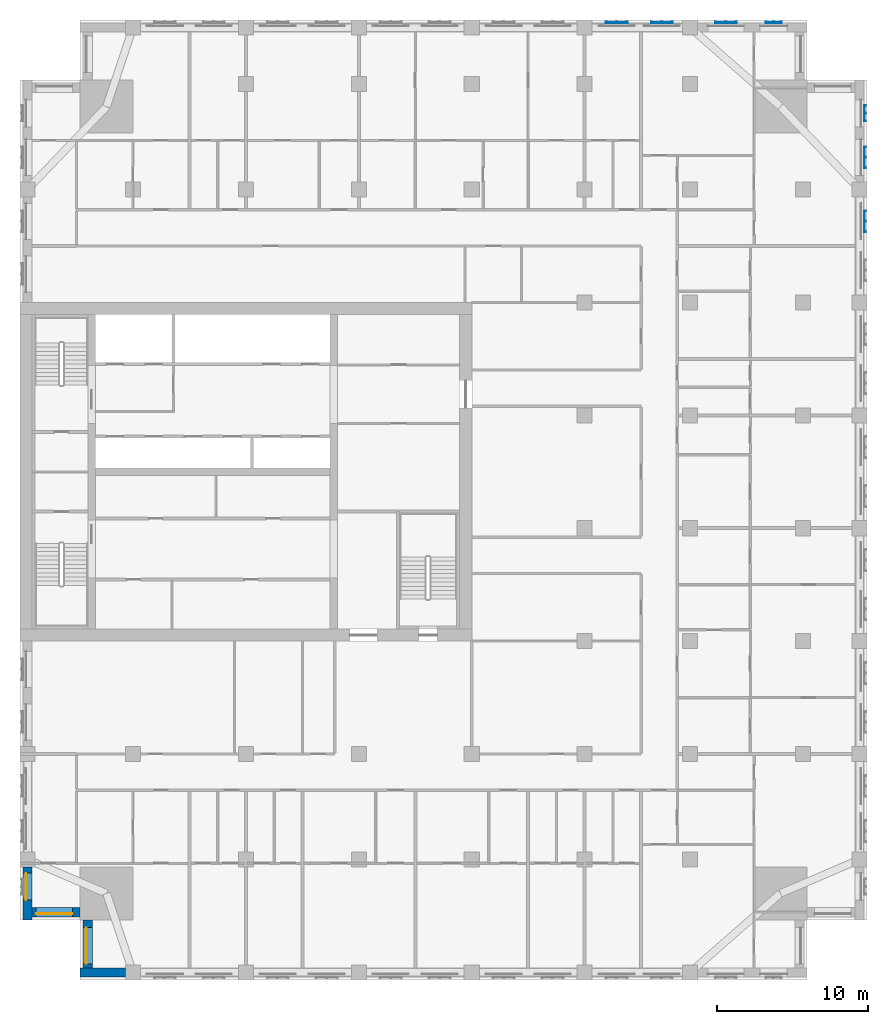
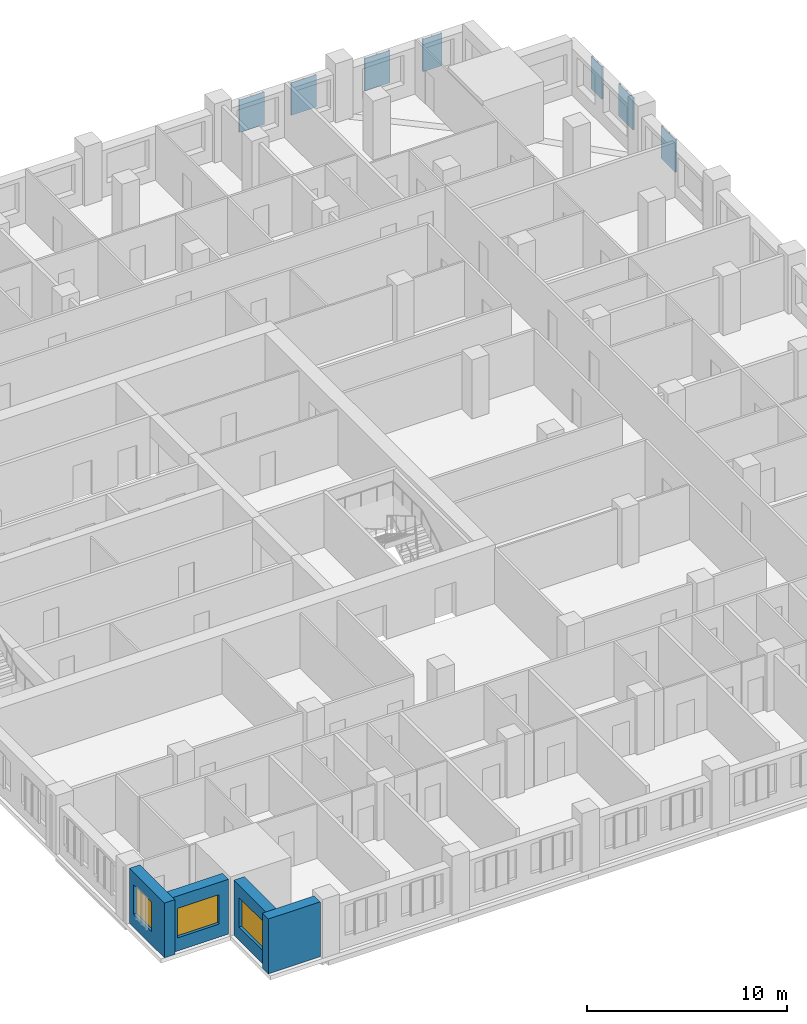
# One storey, part 3 of 14: 7 plates, 4 walls, 3 windows, 3 openings.
"""IFC4 building model written with IfcOpenShell, lengths in metres."""

from ifc_helpers import new_model, si_unit, direction, frame, frame_2d, origin, place, context, subcontext, project, spatial, polyline, rectangle, outline, extrude, material, layer, layer_set, type_object, element, fill, save


model = new_model("IFC4")

# Units and contexts
model_context = context("Model", 3, precision=1e-05, world=origin(), true_north=direction((0.0, 1.0)))
body_context = subcontext(model_context, "Body", "Model", "MODEL_VIEW")
ifc_project = project(units=[si_unit("LENGTHUNIT", "METRE"), si_unit("AREAUNIT", "SQUARE_METRE"), si_unit("VOLUMEUNIT", "CUBIC_METRE"), si_unit("PLANEANGLEUNIT", "RADIAN"), si_unit("MASSUNIT", "GRAM", prefix="KILO")], contexts=[model_context])

# Site, building, storey
site_placement = place(None, origin())
site = spatial("IfcSite", under=ifc_project, at=site_placement, CompositionType="ELEMENT")
building_placement = place(site_placement, origin())
building = spatial("IfcBuilding", under=site, at=building_placement, Name="Tamorin Gate", CompositionType="ELEMENT")
storey_placement = place(building_placement, frame((0.0, 0.0, 141.0)))
storey = spatial("IfcBuildingStorey", under=building, at=storey_placement, Name="L34", CompositionType="ELEMENT", Elevation=141.0)

# Plates
ifc_material_1 = material(Name="Perforated pale aluminium sheet", Category="aluminium")
ifc_layer_1 = layer(ifc_material_1, 0.0400390625)
ifc_layer_set_1 = layer_set([ifc_layer_1], Name="Pale metal solar screen 1080")
plate_type_1 = type_object("IfcPlateType", Name="Pale metal solar screen 1080", PredefinedType="SHEET", material=ifc_layer_set_1)
plate_1_placement = place(storey_placement, frame((0.0, 0.0, 0.7099609375)))
element("IfcPlate", 1, at=plate_1_placement, inside=storey, type_object=plate_type_1, Name="Perforated solar screen", PredefinedType="SHEET", context=body_context, shape_type="SweptSolid", body=[
    extrude(outline(polyline([(86.090087890625, 94.510009765625), (86.050048828125, 94.510009765625), (86.050048828125, 94.570068359375), (86.050048828125, 95.02001953125), (86.050048828125, 95.080078125), (86.050048828125, 95.530029296875), (86.050048828125, 95.590087890625), (86.090087890625, 95.590087890625), (86.14990234375, 95.590087890625), (86.14990234375, 95.530029296875), (86.090087890625, 95.530029296875), (86.090087890625, 95.080078125), (86.14990234375, 95.080078125), (86.14990234375, 95.02001953125), (86.090087890625, 95.02001953125), (86.090087890625, 94.570068359375), (86.14990234375, 94.570068359375), (86.14990234375, 94.510009765625), (86.090087890625, 94.510009765625)])), origin(), (0.0, 0.0, 1.0), 1.97998046875),
])
plate_2_placement = place(storey_placement, frame((0.0, 0.0, 0.7099609375)))
element("IfcPlate", 2, at=plate_2_placement, inside=storey, type_object=plate_type_1, Name="Perforated solar screen", PredefinedType="SHEET", context=body_context, shape_type="SweptSolid", body=[
    extrude(outline(polyline([(80.590087890625, 101.090087890625), (80.590087890625, 101.050048828125), (80.530029296875, 101.050048828125), (80.080078125, 101.050048828125), (80.02001953125, 101.050048828125), (79.570068359375, 101.050048828125), (79.510009765625, 101.050048828125), (79.510009765625, 101.090087890625), (79.510009765625, 101.14990234375), (79.570068359375, 101.14990234375), (79.570068359375, 101.090087890625), (80.02001953125, 101.090087890625), (80.02001953125, 101.14990234375), (80.080078125, 101.14990234375), (80.080078125, 101.090087890625), (80.530029296875, 101.090087890625), (80.530029296875, 101.14990234375), (80.590087890625, 101.14990234375), (80.590087890625, 101.090087890625)])), origin(), (0.0, 0.0, 1.0), 1.97998046875),
])
ifc_layer_2 = layer(ifc_material_1, 0.0400390625)
ifc_layer_set_2 = layer_set([ifc_layer_2], Name="Pale metal solar screen 1440")
plate_type_2 = type_object("IfcPlateType", Name="Pale metal solar screen 1440", PredefinedType="SHEET", material=ifc_layer_set_2)
plate_3_placement = place(storey_placement, frame((0.0, 0.0, 0.7099609375)))
element("IfcPlate", 3, at=plate_3_placement, inside=storey, type_object=plate_type_2, Name="Perforated solar screen", PredefinedType="SHEET", context=body_context, shape_type="SweptSolid", body=[
    extrude(outline(polyline([(86.090087890625, 87.155029296875), (86.050048828125, 87.155029296875), (86.050048828125, 87.215087890625), (86.050048828125, 87.844970703125), (86.050048828125, 87.905029296875), (86.050048828125, 88.534912109375), (86.050048828125, 88.594970703125), (86.090087890625, 88.594970703125), (86.14990234375, 88.594970703125), (86.14990234375, 88.534912109375), (86.090087890625, 88.534912109375), (86.090087890625, 87.905029296875), (86.14990234375, 87.905029296875), (86.14990234375, 87.844970703125), (86.090087890625, 87.844970703125), (86.090087890625, 87.215087890625), (86.14990234375, 87.215087890625), (86.14990234375, 87.155029296875), (86.090087890625, 87.155029296875)])), origin(), (0.0, 0.0, 1.0), 1.97998046875),
])
plate_4_placement = place(storey_placement, frame((0.0, 0.0, 0.7099609375)))
element("IfcPlate", 4, at=plate_4_placement, inside=storey, type_object=plate_type_2, Name="Perforated solar screen", PredefinedType="SHEET", context=body_context, shape_type="SweptSolid", body=[
    extrude(outline(polyline([(86.090087890625, 91.405029296875), (86.050048828125, 91.405029296875), (86.050048828125, 91.465087890625), (86.050048828125, 92.094970703125), (86.050048828125, 92.155029296875), (86.050048828125, 92.784912109375), (86.050048828125, 92.844970703125), (86.090087890625, 92.844970703125), (86.14990234375, 92.844970703125), (86.14990234375, 92.784912109375), (86.090087890625, 92.784912109375), (86.090087890625, 92.155029296875), (86.14990234375, 92.155029296875), (86.14990234375, 92.094970703125), (86.090087890625, 92.094970703125), (86.090087890625, 91.465087890625), (86.14990234375, 91.465087890625), (86.14990234375, 91.405029296875), (86.090087890625, 91.405029296875)])), origin(), (0.0, 0.0, 1.0), 1.97998046875),
])
plate_5_placement = place(storey_placement, frame((0.0, 0.0, 0.7099609375)))
element("IfcPlate", 5, at=plate_5_placement, inside=storey, type_object=plate_type_2, Name="Perforated solar screen", PredefinedType="SHEET", context=body_context, shape_type="SweptSolid", body=[
    extrude(outline(polyline([(77.594970703125, 101.090087890625), (77.594970703125, 101.050048828125), (77.534912109375, 101.050048828125), (76.905029296875, 101.050048828125), (76.844970703125, 101.050048828125), (76.215087890625, 101.050048828125), (76.155029296875, 101.050048828125), (76.155029296875, 101.050048828125), (76.155029296875, 101.090087890625), (76.155029296875, 101.090087890625), (76.155029296875, 101.14990234375), (76.215087890625, 101.14990234375), (76.215087890625, 101.090087890625), (76.844970703125, 101.090087890625), (76.844970703125, 101.14990234375), (76.905029296875, 101.14990234375), (76.905029296875, 101.090087890625), (77.534912109375, 101.090087890625), (77.534912109375, 101.14990234375), (77.594970703125, 101.14990234375), (77.594970703125, 101.090087890625)])), origin(), (0.0, 0.0, 1.0), 1.97998046875),
])
plate_6_placement = place(storey_placement, frame((0.0, 0.0, 0.7099609375)))
element("IfcPlate", 6, at=plate_6_placement, inside=storey, type_object=plate_type_2, Name="Perforated solar screen", PredefinedType="SHEET", context=body_context, shape_type="SweptSolid", body=[
    extrude(outline(polyline([(70.344970703125, 101.090087890625), (70.344970703125, 101.050048828125), (70.284912109375, 101.050048828125), (69.655029296875, 101.050048828125), (69.594970703125, 101.050048828125), (68.965087890625, 101.050048828125), (68.905029296875, 101.050048828125), (68.905029296875, 101.090087890625), (68.905029296875, 101.14990234375), (68.965087890625, 101.14990234375), (68.965087890625, 101.090087890625), (69.594970703125, 101.090087890625), (69.594970703125, 101.14990234375), (69.655029296875, 101.14990234375), (69.655029296875, 101.090087890625), (70.284912109375, 101.090087890625), (70.284912109375, 101.14990234375), (70.344970703125, 101.14990234375), (70.344970703125, 101.090087890625)])), origin(), (0.0, 0.0, 1.0), 1.97998046875),
])
plate_7_placement = place(storey_placement, frame((0.0, 0.0, 0.7099609375)))
element("IfcPlate", 7, at=plate_7_placement, inside=storey, type_object=plate_type_2, Name="Perforated solar screen", PredefinedType="SHEET", context=body_context, shape_type="SweptSolid", body=[
    extrude(outline(polyline([(73.344970703125, 101.090087890625), (73.344970703125, 101.050048828125), (73.284912109375, 101.050048828125), (72.655029296875, 101.050048828125), (72.594970703125, 101.050048828125), (71.965087890625, 101.050048828125), (71.905029296875, 101.050048828125), (71.905029296875, 101.090087890625), (71.905029296875, 101.14990234375), (71.965087890625, 101.14990234375), (71.965087890625, 101.090087890625), (72.594970703125, 101.090087890625), (72.594970703125, 101.14990234375), (72.655029296875, 101.14990234375), (72.655029296875, 101.090087890625), (73.284912109375, 101.090087890625), (73.284912109375, 101.14990234375), (73.344970703125, 101.14990234375), (73.344970703125, 101.090087890625)])), origin(), (0.0, 0.0, 1.0), 1.97998046875),
])

# Wall
ifc_material_2 = material(Name="Precast concrete C40/50", Category="concrete")
ifc_layer_3 = layer(ifc_material_2, 0.60009765625)
ifc_layer_set_3 = layer_set([ifc_layer_3], Name="Precast concrete C40/50")
wall_type = type_object("IfcWallType", Name="Board-marked concrete facade panel 600", PredefinedType="SOLIDWALL", material=ifc_layer_set_3)
wall_1_placement = place(storey_placement, frame((34.0, 38.0, 0.0), z_axis=(0.0, 0.0, 1.0), x_axis=(1.0, 0.0, 0.0)))
element("IfcWall", 8, at=wall_1_placement, inside=storey, type_object=wall_type, Name="Facade panel", PredefinedType="SOLIDWALL", context=body_context, shape_type="SweptSolid", body=[
    extrude(rectangle(XDim=3.0, YDim=0.60009765625, at=frame_2d((1.5, 0.0))), origin(), (0.0, 0.0, 1.0), 3.35009765625),
])

# Wall, opening, window
wall_2_placement = place(storey_placement, frame((30.5, 45.0, 0.0), z_axis=(0.0, 0.0, 1.0), x_axis=(0.0, -1.0, 0.0)))
wall_2 = element("IfcWall", 9, at=wall_2_placement, inside=storey, type_object=wall_type, Name="Facade panel", PredefinedType="SOLIDWALL", context=body_context, shape_type="SweptSolid", body=[
    extrude(rectangle(XDim=3.5, YDim=0.60009765625, at=frame_2d((1.75, 0.0))), origin(), (0.0, 0.0, 1.0), 3.35009765625),
])
opening_1_placement = place(wall_2_placement, frame((0.39990234375, 0.0, 0.800048828125)))
opening_1 = element("IfcOpeningElement", 10, at=opening_1_placement, cuts=wall_2, Name="Opening WN2", PredefinedType="OPENING", context=body_context, shape_type="SweptSolid", body=[
    extrude(rectangle(XDim=1.800048828125, YDim=1.800048828125, at=frame_2d((0.89990234375, 0.89990234375))), frame((0.0, 0.31005859375, 0.0), z_axis=(0.0, -1.0, 0.0), x_axis=(1.0, 0.0, 0.0)), (0.0, 0.0, 1.0), 0.6201171875),
])
ifc_material_3 = material(Name="Clear glass in aluminium frame", Category="aluminium")
window_type_1 = type_object("IfcWindowType", Name="Deep-set window 1800x1800", PartitioningType="SINGLE_PANEL", PredefinedType="WINDOW", material=ifc_material_3)
window_1_placement = place(opening_1_placement, origin())
window_1 = element("IfcWindow", 11, at=window_1_placement, inside=storey, type_object=window_type_1, Name="Deep-set window", OverallHeight=1.800048828125, OverallWidth=1.800048828125, PartitioningType="SINGLE_PANEL", PredefinedType="WINDOW", context=body_context, shape_type="SweptSolid", body=[
    extrude(rectangle(XDim=1.800048828125, YDim=1.800048828125, at=frame_2d((0.89990234375, 0.89990234375))), frame((0.0, -0.070068359375, 0.0), z_axis=(0.0, -1.0, 0.0), x_axis=(1.0, 0.0, 0.0)), (0.0, 0.0, 1.0), 0.06005859375),
])
fill(opening_1, window_1)

wall_3_placement = place(storey_placement, frame((30.800048828125, 42.0, 0.0), z_axis=(0.0, 0.0, 1.0), x_axis=(1.0, 0.0, 0.0)))
wall_3 = element("IfcWall", 12, at=wall_3_placement, inside=storey, type_object=wall_type, Name="Facade panel", PredefinedType="SOLIDWALL", context=body_context, shape_type="SweptSolid", body=[
    extrude(rectangle(XDim=3.199951171875, YDim=0.60009765625, at=frame_2d((1.60009765625, 0.0))), origin(), (0.0, 0.0, 1.0), 3.35009765625),
])
opening_2_placement = place(wall_3_placement, frame((0.27490234375, 0.0, 0.800048828125)))
opening_2 = element("IfcOpeningElement", 13, at=opening_2_placement, cuts=wall_3, Name="Opening WN1", PredefinedType="OPENING", context=body_context, shape_type="SweptSolid", body=[
    extrude(rectangle(XDim=2.39990234375, YDim=1.800048828125, at=frame_2d((1.199951171875, 0.89990234375))), frame((0.0, 0.31005859375, 0.0), z_axis=(0.0, -1.0, 0.0), x_axis=(1.0, 0.0, 0.0)), (0.0, 0.0, 1.0), 0.6201171875),
])
window_type_2 = type_object("IfcWindowType", Name="Deep-set window 2400x1800", PartitioningType="SINGLE_PANEL", PredefinedType="WINDOW", material=ifc_material_3)
window_2_placement = place(opening_2_placement, origin())
window_2 = element("IfcWindow", 14, at=window_2_placement, inside=storey, type_object=window_type_2, Name="Deep-set window", OverallHeight=1.800048828125, OverallWidth=2.39990234375, PartitioningType="SINGLE_PANEL", PredefinedType="WINDOW", context=body_context, shape_type="SweptSolid", body=[
    extrude(rectangle(XDim=2.39990234375, YDim=1.800048828125, at=frame_2d((1.199951171875, 0.89990234375))), frame((0.0, -0.070068359375, 0.0), z_axis=(0.0, -1.0, 0.0), x_axis=(1.0, 0.0, 0.0)), (0.0, 0.0, 1.0), 0.06005859375),
])
fill(opening_2, window_2)

wall_4_placement = place(storey_placement, frame((34.5, 41.5, 0.0), z_axis=(0.0, 0.0, 1.0), x_axis=(0.0, -1.0, 0.0)))
wall_4 = element("IfcWall", 15, at=wall_4_placement, inside=storey, type_object=wall_type, Name="Facade panel", PredefinedType="SOLIDWALL", context=body_context, shape_type="SweptSolid", body=[
    extrude(rectangle(XDim=3.199951171875, YDim=0.60009765625, at=frame_2d((1.60009765625, 0.0))), origin(), (0.0, 0.0, 1.0), 3.35009765625),
])
opening_3_placement = place(wall_4_placement, frame((0.52490234375, 0.0, 0.800048828125)))
opening_3 = element("IfcOpeningElement", 16, at=opening_3_placement, cuts=wall_4, Name="Opening WN1", PredefinedType="OPENING", context=body_context, shape_type="SweptSolid", body=[
    extrude(rectangle(XDim=2.39990234375, YDim=1.800048828125, at=frame_2d((1.199951171875, 0.89990234375))), frame((0.0, 0.31005859375, 0.0), z_axis=(0.0, -1.0, 0.0), x_axis=(1.0, 0.0, 0.0)), (0.0, 0.0, 1.0), 0.6201171875),
])
window_3_placement = place(opening_3_placement, origin())
window_3 = element("IfcWindow", 17, at=window_3_placement, inside=storey, type_object=window_type_2, Name="Deep-set window", OverallHeight=1.800048828125, OverallWidth=2.39990234375, PartitioningType="SINGLE_PANEL", PredefinedType="WINDOW", context=body_context, shape_type="SweptSolid", body=[
    extrude(rectangle(XDim=2.39990234375, YDim=1.800048828125, at=frame_2d((1.199951171875, 0.89990234375))), frame((0.0, -0.070068359375, 0.0), z_axis=(0.0, -1.0, 0.0), x_axis=(1.0, 0.0, 0.0)), (0.0, 0.0, 1.0), 0.06005859375),
])
fill(opening_3, window_3)

save(model, "model.ifc")
